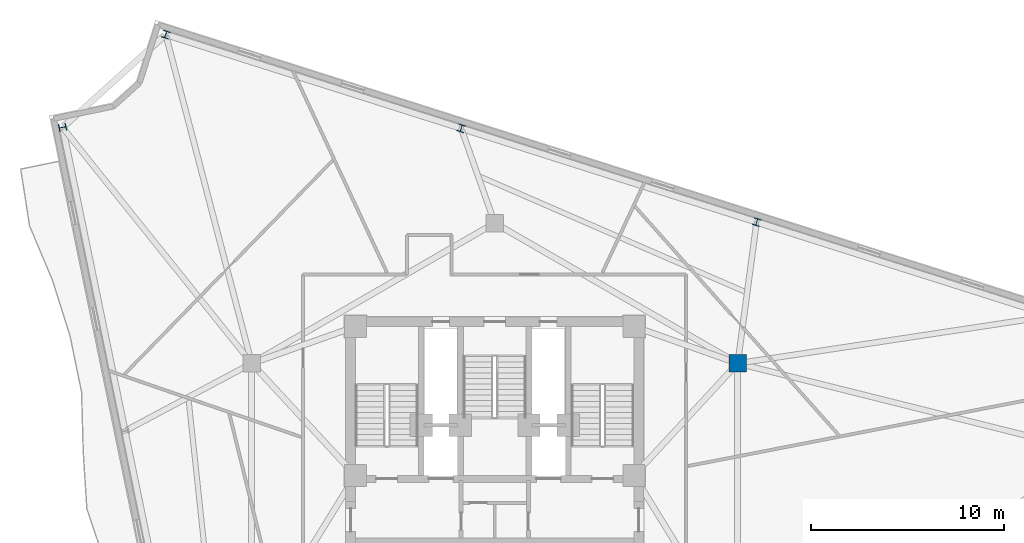
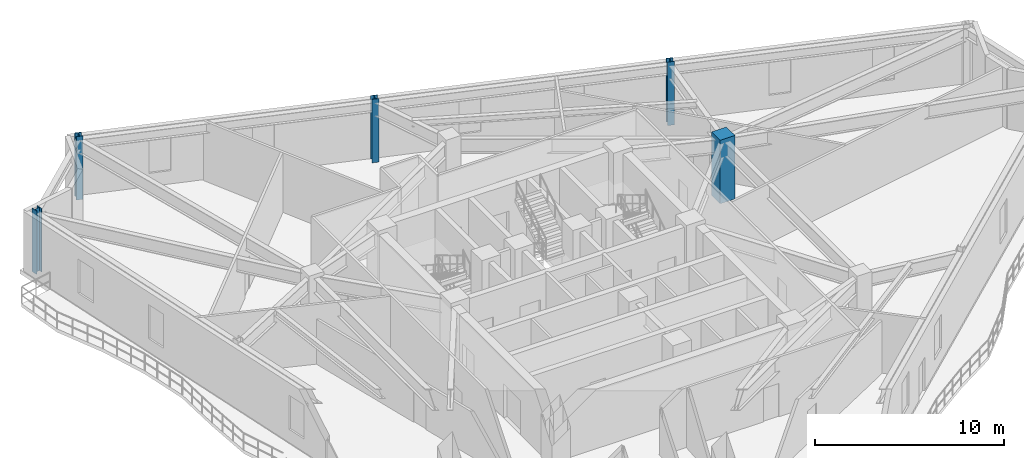
# One storey, part 2 of 11: 5 columns.
"""IFC4 building model written with IfcOpenShell, lengths in metres."""

from ifc_helpers import new_model, si_unit, direction, frame, origin, origin_2d, place, context, subcontext, project, spatial, rectangle, i_section, extrude, material, material_profile, profile_set, type_object, element, save


model = new_model("IFC4")

# Units and contexts
model_context = context("Model", 3, precision=1e-05, world=origin(), true_north=direction((0.0, 1.0)))
body_context = subcontext(model_context, "Body", "Model", "MODEL_VIEW")
ifc_project = project(units=[si_unit("LENGTHUNIT", "METRE"), si_unit("AREAUNIT", "SQUARE_METRE"), si_unit("VOLUMEUNIT", "CUBIC_METRE"), si_unit("PLANEANGLEUNIT", "RADIAN"), si_unit("MASSUNIT", "GRAM", prefix="KILO")], contexts=[model_context])

# Site, building, storey
site_placement = place(None, origin())
site = spatial("IfcSite", under=ifc_project, at=site_placement, CompositionType="ELEMENT")
building_placement = place(site_placement, origin())
building = spatial("IfcBuilding", under=site, at=building_placement, Name="Apsidion Concourse Tower", CompositionType="ELEMENT")
storey_placement = place(building_placement, frame((0.0, 0.0, 244.5)))
storey = spatial("IfcBuildingStorey", under=building, at=storey_placement, Name="L57", CompositionType="ELEMENT", Elevation=244.5)

# Columns
ifc_material_1 = material(Name="Concrete C50/60", Category="concrete")
ifc_material_profile_1 = material_profile(ifc_material_1, rectangle(XDim=0.89990234375, YDim=0.89990234375, at=origin_2d()), Name="RC 900x900")
ifc_profile_set_1 = profile_set([ifc_material_profile_1], Name="Concrete C50/60")
column_type_1 = type_object("IfcColumnType", Name="COL-RC-900", PredefinedType="COLUMN", material=ifc_profile_set_1)
column_placement = place(storey_placement, frame((12.56005859375, 7.25, 0.0), z_axis=(0.0, 0.0, 1.0), x_axis=(1.0, 0.0, 0.0)))
element("IfcColumn", 1, at=column_placement, inside=storey, type_object=column_type_1, Name="L57 Interior Spine Column IC3", PredefinedType="COLUMN", context=body_context, shape_type="SweptSolid", body=[
    extrude(rectangle(XDim=0.89990234375, YDim=0.89990234375, at=origin_2d()), origin(), (0.0, 0.0, 1.0), 4.10009765625),
])
ifc_material_2 = material(Name="Structural steel ASTM A992 Grade 50", Category="steel")
ifc_material_profile_2 = material_profile(ifc_material_2, i_section(OverallWidth=0.373046875, OverallDepth=0.373046875, WebThickness=0.016357421875, FlangeThickness=0.026123046875, at=origin_2d()), Name="W14X132")
ifc_profile_set_2 = profile_set([ifc_material_profile_2], Name="Structural steel ASTM A992 Grade 50")
column_type_2 = type_object("IfcColumnType", Name="COL-W14-132", PredefinedType="COLUMN", material=ifc_profile_set_2)
for number, where, z_axis, x_axis, name in (
    (2, (-22.337158203125, 19.44677734375, 0.0), (0.0, 0.0, 1.0), (-0.201248886216, 0.979540139962, 0.0), "L57 Rotated Perimeter Column PC01"),
    (3, (13.539306640625, 14.552978515625, 0.0), (0.0, 0.0, 1.0), (-0.953137879774, 0.3025362493, 0.0), "L57 Rotated Perimeter Column PC10"),
    (4, (-1.733154296875, 19.400390625, 0.0), (0.0, 0.0, 1.0), (-0.953137879774, 0.3025362493, 0.0), "L57 Rotated Perimeter Column PC11"),
    (5, (-17.00537109375, 24.24755859375, 0.0), (0.0, 0.0, 1.0), (-0.953137879774, 0.3025362493, 0.0), "L57 Rotated Perimeter Column PC12"),
):
    element("IfcColumn", number, at=place(storey_placement, frame(where, z_axis=z_axis, x_axis=x_axis)), inside=storey, type_object=column_type_2, Name=name, PredefinedType="COLUMN", context=body_context, shape_type="SweptSolid", body=[
        extrude(i_section(OverallWidth=0.373046875, OverallDepth=0.373046875, WebThickness=0.016357421875, FlangeThickness=0.026123046875, at=origin_2d()), origin(), (0.0, 0.0, 1.0), 4.10009765625),
    ])

save(model, "model.ifc")
